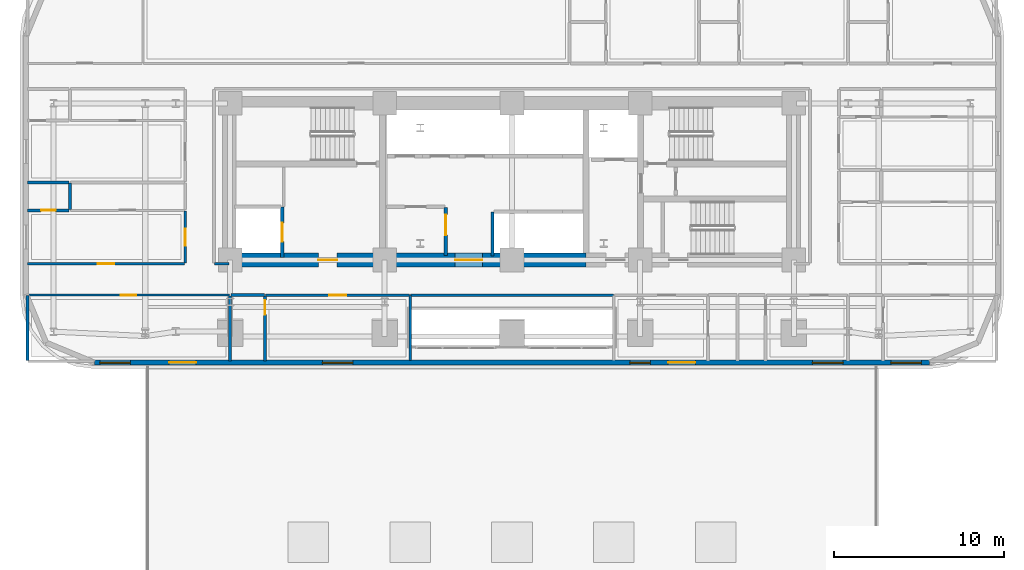
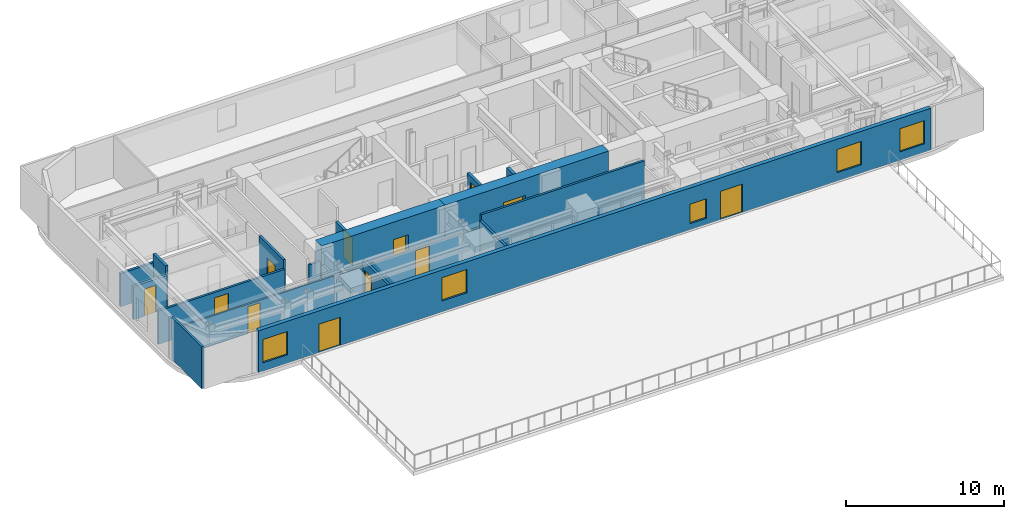
# One storey, part 7 of 15: 20 walls, 12 doors, 5 windows, 17 openings.
"""IFC4 building model written with IfcOpenShell, lengths in metres."""

from ifc_helpers import new_model, si_unit, direction, frame, frame_2d, origin, place, context, subcontext, project, spatial, rectangle, extrude, material, layer, layer_set, type_object, element, fill, save


model = new_model("IFC4")

# Units and contexts
model_context = context("Model", 3, precision=1e-05, world=origin(), true_north=direction((0.0, 1.0)))
body_context = subcontext(model_context, "Body", "Model", "MODEL_VIEW")
ifc_project = project(units=[si_unit("LENGTHUNIT", "METRE"), si_unit("AREAUNIT", "SQUARE_METRE"), si_unit("VOLUMEUNIT", "CUBIC_METRE"), si_unit("PLANEANGLEUNIT", "RADIAN"), si_unit("MASSUNIT", "GRAM", prefix="KILO")], contexts=[model_context])

# Site, building, storey
site_placement = place(None, origin())
site = spatial("IfcSite", under=ifc_project, at=site_placement, CompositionType="ELEMENT")
building_placement = place(site_placement, origin())
building = spatial("IfcBuilding", under=site, at=building_placement, Name="Zarnavel Station Tower", CompositionType="ELEMENT")
storey_placement = place(building_placement, frame((0.0, 0.0, 29.0)))
storey = spatial("IfcBuildingStorey", under=building, at=storey_placement, Name="L07", CompositionType="ELEMENT", Elevation=29.0)

# Wall, opening, door
ifc_material_1 = material(Name="Concrete C60/75", Category="concrete")
ifc_layer_1 = layer(ifc_material_1, 0.800048828125)
ifc_layer_set_1 = layer_set([ifc_layer_1], Name="CW_800")
wall_type_1 = type_object("IfcWallType", Name="CW_800", PredefinedType="SHEAR", material=ifc_layer_set_1)
wall_1_placement = place(storey_placement, frame((21.179931640625, 27.820068359375, 0.0), z_axis=(0.0, 0.0, 1.0), x_axis=(-1.0, 0.0, 0.0)))
wall_1 = element("IfcWall", 1, at=wall_1_placement, inside=storey, type_object=wall_type_1, Name="L07 Rear Core Shear Wall S-W", PredefinedType="SHEAR", context=body_context, shape_type="SweptSolid", body=[
    extrude(rectangle(XDim=9.030029296875, YDim=0.800048828125, at=frame_2d((4.51513671875, 0.0))), origin(), (0.0, 0.0, 1.0), 3.5),
])
opening_1_placement = place(wall_1_placement, frame((2.679931640625, 0.0, 0.0)))
opening_1 = element("IfcOpeningElement", 2, at=opening_1_placement, cuts=wall_1, Name="Opening FD01", PredefinedType="OPENING", context=body_context, shape_type="SweptSolid", body=[
    extrude(rectangle(XDim=1.10009765625, YDim=2.14990234375, at=frame_2d((0.550048828125, 1.074951171875))), frame((0.0, 0.409912109375, 0.0), z_axis=(0.0, -1.0, 0.0), x_axis=(1.0, 0.0, 0.0)), (0.0, 0.0, 1.0), 0.820068359375),
])
ifc_material_2 = material(Name="Painted Galvanised Steel and Hardwood Leaf", Category="steel")
door_type_1 = type_object("IfcDoorType", Name="ID_STAIR_1100", OperationType="NOTDEFINED", PredefinedType="DOOR", material=ifc_material_2)
door_1_placement = place(opening_1_placement, origin())
door_1 = element("IfcDoor", 3, at=door_1_placement, inside=storey, type_object=door_type_1, Name="L07 West Firefighting Lobby Door", OperationType="SINGLE_SWING_RIGHT", OverallHeight=2.14990234375, OverallWidth=1.10009765625, PredefinedType="DOOR", context=body_context, shape_type="SweptSolid", body=[
    extrude(rectangle(XDim=1.10009765625, YDim=2.14990234375, at=frame_2d((0.550048828125, 1.074951171875))), frame((0.0, 0.02490234375, 0.0), z_axis=(0.0, -1.0, 0.0), x_axis=(1.0, 0.0, 0.0)), (0.0, 0.0, 1.0), 0.050048828125),
])
fill(opening_1, door_1)

wall_2_placement = place(storey_placement, frame((33.14990234375, 27.820068359375, 0.0), z_axis=(0.0, 0.0, 1.0), x_axis=(-1.0, 0.0, 0.0)))
wall_2 = element("IfcWall", 4, at=wall_2_placement, inside=storey, type_object=wall_type_1, Name="L07 Rear Core Shear Wall S-M", PredefinedType="SHEAR", context=body_context, shape_type="SweptSolid", body=[
    extrude(rectangle(XDim=11.969970703125, YDim=0.800048828125, at=frame_2d((5.98486328125, 0.0))), origin(), (0.0, 0.0, 1.0), 3.5),
])
opening_2_placement = place(wall_2_placement, frame((6.10009765625, 0.0, 0.0)))
opening_2 = element("IfcOpeningElement", 5, at=opening_2_placement, cuts=wall_2, Name="Opening ID03", PredefinedType="OPENING", context=body_context, shape_type="SweptSolid", body=[
    extrude(rectangle(XDim=1.60009765625, YDim=2.199951171875, at=frame_2d((0.800048828125, 1.10009765625))), frame((0.0, 0.409912109375, 0.0), z_axis=(0.0, -1.0, 0.0), x_axis=(1.0, 0.0, 0.0)), (0.0, 0.0, 1.0), 0.820068359375),
])
ifc_material_3 = material(Name="Painted Galvanised Steel and Hardwood Leaf", Category="steel")
door_type_2 = type_object("IfcDoorType", Name="ID_PUBLIC_1600", OperationType="DOUBLE_DOOR_SINGLE_SWING", PredefinedType="DOOR", material=ifc_material_3)
door_2_placement = place(opening_2_placement, origin())
door_2 = element("IfcDoor", 6, at=door_2_placement, inside=storey, type_object=door_type_2, Name="L07 Passenger Lift Lobby Double Door", OperationType="SINGLE_SWING_LEFT", OverallHeight=2.199951171875, OverallWidth=1.60009765625, PredefinedType="DOOR", context=body_context, shape_type="SweptSolid", body=[
    extrude(rectangle(XDim=1.60009765625, YDim=2.199951171875, at=frame_2d((0.800048828125, 1.10009765625))), frame((0.0, 0.02490234375, 0.0), z_axis=(0.0, -1.0, 0.0), x_axis=(1.0, 0.0, 0.0)), (0.0, 0.0, 1.0), 0.050048828125),
])
fill(opening_2, door_2)

# Wall, openings, doors, windows
ifc_material_4 = material(Name="Precast concrete C45/55 (Dark Basalt Finish)", Category="masonry")
ifc_layer_2 = layer(ifc_material_4, 0.300048828125)
ifc_layer_set_2 = layer_set([ifc_layer_2], Name="EW_BASALT_300")
wall_type_2 = type_object("IfcWallType", Name="EW_BASALT_300", PredefinedType="SOLIDWALL", material=ifc_layer_set_2)
wall_3_placement = place(storey_placement, frame((53.39990234375, 21.780029296875, 0.0), z_axis=(0.0, 0.0, 1.0), x_axis=(-1.0, 0.0, 0.0)))
wall_3 = element("IfcWall", 7, at=wall_3_placement, inside=storey, type_object=wall_type_2, Name="L07 Exterior Basalt Masonry Frame Wall 12", PredefinedType="SOLIDWALL", context=body_context, shape_type="SweptSolid", body=[
    extrude(rectangle(XDim=49.199951171875, YDim=0.300048828125, at=frame_2d((24.60009765625, 0.0))), origin(), (0.0, 0.0, 1.0), 3.239990234375),
])
opening_3_placement = place(wall_3_placement, frame((43.199951171875, 0.0, 0.0)))
opening_3 = element("IfcOpeningElement", 8, at=opening_3_placement, cuts=wall_3, Name="Opening ED03", PredefinedType="OPENING", context=body_context, shape_type="SweptSolid", body=[
    extrude(rectangle(XDim=1.60009765625, YDim=2.199951171875, at=frame_2d((0.800048828125, 1.10009765625))), frame((0.0, 0.159912109375, 0.0), z_axis=(0.0, -1.0, 0.0), x_axis=(1.0, 0.0, 0.0)), (0.0, 0.0, 1.0), 0.320068359375),
])
opening_4_placement = place(wall_3_placement, frame((13.800048828125, 0.0, 0.0)))
opening_4 = element("IfcOpeningElement", 9, at=opening_4_placement, cuts=wall_3, Name="Opening ED03", PredefinedType="OPENING", context=body_context, shape_type="SweptSolid", body=[
    extrude(rectangle(XDim=1.60009765625, YDim=2.199951171875, at=frame_2d((0.800048828125, 1.10009765625))), frame((0.0, 0.159912109375, 0.0), z_axis=(0.0, -1.0, 0.0), x_axis=(1.0, 0.0, 0.0)), (0.0, 0.0, 1.0), 0.320068359375),
])
opening_5_placement = place(wall_3_placement, frame((47.080078125, 0.0, 0.64990234375)))
opening_5 = element("IfcOpeningElement", 10, at=opening_5_placement, cuts=wall_3, Name="Opening WN02", PredefinedType="OPENING", context=body_context, shape_type="SweptSolid", body=[
    extrude(rectangle(XDim=1.800048828125, YDim=1.800048828125, at=frame_2d((0.89990234375, 0.89990234375))), frame((0.0, 0.159912109375, 0.0), z_axis=(0.0, -1.0, 0.0), x_axis=(1.0, 0.0, 0.0)), (0.0, 0.0, 1.0), 0.320068359375),
])
opening_6_placement = place(wall_3_placement, frame((33.97509765625, 0.0, 0.85009765625)))
opening_6 = element("IfcOpeningElement", 11, at=opening_6_placement, cuts=wall_3, Name="Opening WN02", PredefinedType="OPENING", context=body_context, shape_type="SweptSolid", body=[
    extrude(rectangle(XDim=1.800048828125, YDim=1.800048828125, at=frame_2d((0.89990234375, 0.89990234375))), frame((0.0, 0.159912109375, 0.0), z_axis=(0.0, -1.0, 0.0), x_axis=(1.0, 0.0, 0.0)), (0.0, 0.0, 1.0), 0.320068359375),
])
opening_7_placement = place(wall_3_placement, frame((16.449951171875, 0.0, 0.47998046875)))
opening_7 = element("IfcOpeningElement", 12, at=opening_7_placement, cuts=wall_3, Name="Opening WN08", PredefinedType="OPENING", context=body_context, shape_type="SweptSolid", body=[
    extrude(rectangle(XDim=1.199951171875, YDim=1.5, at=frame_2d((0.60009765625, 0.75))), frame((0.0, 0.159912109375, 0.0), z_axis=(0.0, -1.0, 0.0), x_axis=(1.0, 0.0, 0.0)), (0.0, 0.0, 1.0), 0.320068359375),
])
opening_8_placement = place(wall_3_placement, frame((5.10009765625, 0.0, 0.64990234375)))
opening_8 = element("IfcOpeningElement", 13, at=opening_8_placement, cuts=wall_3, Name="Opening WN02", PredefinedType="OPENING", context=body_context, shape_type="SweptSolid", body=[
    extrude(rectangle(XDim=1.800048828125, YDim=1.800048828125, at=frame_2d((0.89990234375, 0.89990234375))), frame((0.0, 0.159912109375, 0.0), z_axis=(0.0, -1.0, 0.0), x_axis=(1.0, 0.0, 0.0)), (0.0, 0.0, 1.0), 0.320068359375),
])
opening_9_placement = place(wall_3_placement, frame((0.485107421875, 0.0, 0.64990234375)))
opening_9 = element("IfcOpeningElement", 14, at=opening_9_placement, cuts=wall_3, Name="Opening WN02", PredefinedType="OPENING", context=body_context, shape_type="SweptSolid", body=[
    extrude(rectangle(XDim=1.800048828125, YDim=1.800048828125, at=frame_2d((0.89990234375, 0.89990234375))), frame((0.0, 0.159912109375, 0.0), z_axis=(0.0, -1.0, 0.0), x_axis=(1.0, 0.0, 0.0)), (0.0, 0.0, 1.0), 0.320068359375),
])
ifc_material_5 = material(Name="Thermally Broken Black Aluminium and Laminated Safety Glass", Category="aluminium")
door_type_3 = type_object("IfcDoorType", Name="ED_TERR_1600", OperationType="DOUBLE_DOOR_SLIDING", PredefinedType="DOOR", material=ifc_material_5)
door_3_placement = place(opening_3_placement, origin())
door_3 = element("IfcDoor", 15, at=door_3_placement, inside=storey, type_object=door_type_3, Name="L07 Podium Garden Terrace Sliding Door West", OperationType="DOUBLE_DOOR_SLIDING", OverallHeight=2.199951171875, OverallWidth=1.60009765625, PredefinedType="DOOR", context=body_context, shape_type="SweptSolid", body=[
    extrude(rectangle(XDim=1.60009765625, YDim=2.199951171875, at=frame_2d((0.800048828125, 1.10009765625))), frame((0.0, 0.02490234375, 0.0), z_axis=(0.0, -1.0, 0.0), x_axis=(1.0, 0.0, 0.0)), (0.0, 0.0, 1.0), 0.050048828125),
])
fill(opening_3, door_3)
door_4_placement = place(opening_4_placement, origin())
door_4 = element("IfcDoor", 16, at=door_4_placement, inside=storey, type_object=door_type_3, Name="L07 Podium Garden Terrace Sliding Door East", OperationType="DOUBLE_DOOR_SLIDING", OverallHeight=2.199951171875, OverallWidth=1.60009765625, PredefinedType="DOOR", context=body_context, shape_type="SweptSolid", body=[
    extrude(rectangle(XDim=1.60009765625, YDim=2.199951171875, at=frame_2d((0.800048828125, 1.10009765625))), frame((0.0, 0.02490234375, 0.0), z_axis=(0.0, -1.0, 0.0), x_axis=(1.0, 0.0, 0.0)), (0.0, 0.0, 1.0), 0.050048828125),
])
fill(opening_4, door_4)
ifc_material_6 = material(Name="Thermally Broken Black Aluminium and Low-E Dark Glass", Category="aluminium")
window_type_1 = type_object("IfcWindowType", Name="WN_1200x1500", PartitioningType="SINGLE_PANEL", PredefinedType="WINDOW", material=ifc_material_6)
window_1_placement = place(opening_7_placement, origin())
window_1 = element("IfcWindow", 17, at=window_1_placement, inside=storey, type_object=window_type_1, Name="L07 Recessed Facade Window 03", OverallHeight=1.5, OverallWidth=1.199951171875, PartitioningType="SINGLE_PANEL", PredefinedType="WINDOW", context=body_context, shape_type="SweptSolid", body=[
    extrude(rectangle(XDim=1.199951171875, YDim=1.5, at=frame_2d((0.60009765625, 0.75))), frame((0.0, 0.030029296875, 0.0), z_axis=(0.0, -1.0, 0.0), x_axis=(1.0, 0.0, 0.0)), (0.0, 0.0, 1.0), 0.06005859375),
])
fill(opening_7, window_1)
ifc_material_7 = material(Name="Thermally Broken Black Aluminium and Low-E Dark Glass", Category="aluminium")
window_type_2 = type_object("IfcWindowType", Name="WN_1800x1800", PartitioningType="DOUBLE_PANEL_VERTICAL", PredefinedType="WINDOW", material=ifc_material_7)
window_2_placement = place(opening_5_placement, origin())
window_2 = element("IfcWindow", 18, at=window_2_placement, inside=storey, type_object=window_type_2, Name="L07 Recessed Facade Window 01", OverallHeight=1.800048828125, OverallWidth=1.800048828125, PartitioningType="SINGLE_PANEL", PredefinedType="WINDOW", context=body_context, shape_type="SweptSolid", body=[
    extrude(rectangle(XDim=1.800048828125, YDim=1.800048828125, at=frame_2d((0.89990234375, 0.89990234375))), frame((0.0, 0.030029296875, 0.0), z_axis=(0.0, -1.0, 0.0), x_axis=(1.0, 0.0, 0.0)), (0.0, 0.0, 1.0), 0.06005859375),
])
fill(opening_5, window_2)
window_3_placement = place(opening_6_placement, origin())
window_3 = element("IfcWindow", 19, at=window_3_placement, inside=storey, type_object=window_type_2, Name="L07 Recessed Facade Window 02", OverallHeight=1.800048828125, OverallWidth=1.800048828125, PartitioningType="SINGLE_PANEL", PredefinedType="WINDOW", context=body_context, shape_type="SweptSolid", body=[
    extrude(rectangle(XDim=1.800048828125, YDim=1.800048828125, at=frame_2d((0.89990234375, 0.89990234375))), frame((0.0, 0.030029296875, 0.0), z_axis=(0.0, -1.0, 0.0), x_axis=(1.0, 0.0, 0.0)), (0.0, 0.0, 1.0), 0.06005859375),
])
fill(opening_6, window_3)
window_4_placement = place(opening_8_placement, origin())
window_4 = element("IfcWindow", 20, at=window_4_placement, inside=storey, type_object=window_type_2, Name="L07 Recessed Facade Window 04", OverallHeight=1.800048828125, OverallWidth=1.800048828125, PartitioningType="SINGLE_PANEL", PredefinedType="WINDOW", context=body_context, shape_type="SweptSolid", body=[
    extrude(rectangle(XDim=1.800048828125, YDim=1.800048828125, at=frame_2d((0.89990234375, 0.89990234375))), frame((0.0, 0.030029296875, 0.0), z_axis=(0.0, -1.0, 0.0), x_axis=(1.0, 0.0, 0.0)), (0.0, 0.0, 1.0), 0.06005859375),
])
fill(opening_8, window_4)
window_5_placement = place(opening_9_placement, origin())
window_5 = element("IfcWindow", 21, at=window_5_placement, inside=storey, type_object=window_type_2, Name="L07 Recessed Facade Window 05", OverallHeight=1.800048828125, OverallWidth=1.800048828125, PartitioningType="SINGLE_PANEL", PredefinedType="WINDOW", context=body_context, shape_type="SweptSolid", body=[
    extrude(rectangle(XDim=1.800048828125, YDim=1.800048828125, at=frame_2d((0.89990234375, 0.89990234375))), frame((0.0, 0.030029296875, 0.0), z_axis=(0.0, -1.0, 0.0), x_axis=(1.0, 0.0, 0.0)), (0.0, 0.0, 1.0), 0.06005859375),
])
fill(opening_9, window_5)

# Wall, opening, door
ifc_material_8 = material(Name="Gypsum Twin-Stud Acoustic Fire Partition", Category="concrete")
ifc_layer_3 = layer(ifc_material_8, 0.159912109375)
ifc_layer_set_3 = layer_set([ifc_layer_3], Name="PT_DEMISE_160")
wall_type_3 = type_object("IfcWallType", Name="PT_DEMISE_160", PredefinedType="PARTITIONING", material=ifc_layer_set_3)
wall_4_placement = place(storey_placement, frame((0.260009765625, 27.60009765625, 0.0), z_axis=(0.0, 0.0, 1.0), x_axis=(1.0, 0.0, 0.0)))
wall_4 = element("IfcWall", 22, at=wall_4_placement, inside=storey, type_object=wall_type_3, Name="L07 Partition COR-S-FNW1R", PredefinedType="PARTITIONING", context=body_context, shape_type="SweptSolid", body=[
    extrude(rectangle(XDim=9.25, YDim=0.159912109375, at=frame_2d((4.625, 0.0))), origin(), (0.0, 0.0, 1.0), 2.570068359375),
])
opening_10_placement = place(wall_4_placement, frame((4.125, 0.0, 0.0)))
opening_10 = element("IfcOpeningElement", 23, at=opening_10_placement, cuts=wall_4, Name="Opening FD02", PredefinedType="OPENING", context=body_context, shape_type="SweptSolid", body=[
    extrude(rectangle(XDim=1.0, YDim=2.14990234375, at=frame_2d((0.5, 1.074951171875))), frame((0.0, 0.08984375, 0.0), z_axis=(0.0, -1.0, 0.0), x_axis=(1.0, 0.0, 0.0)), (0.0, 0.0, 1.0), 0.179931640625),
])
ifc_material_9 = material(Name="Painted Galvanised Steel and Hardwood Leaf", Category="steel")
door_type_4 = type_object("IfcDoorType", Name="ID_ENTRY_1000", OperationType="NOTDEFINED", PredefinedType="DOOR", material=ifc_material_9)
door_5_placement = place(opening_10_placement, origin())
door_5 = element("IfcDoor", 24, at=door_5_placement, inside=storey, type_object=door_type_4, Name="L07 Door COR-S-FNW1R", OperationType="SINGLE_SWING_RIGHT", OverallHeight=2.14990234375, OverallWidth=1.0, PredefinedType="DOOR", context=body_context, shape_type="SweptSolid", body=[
    extrude(rectangle(XDim=1.0, YDim=2.14990234375, at=frame_2d((0.5, 1.074951171875))), frame((0.0, 0.02490234375, 0.0), z_axis=(0.0, -1.0, 0.0), x_axis=(1.0, 0.0, 0.0)), (0.0, 0.0, 1.0), 0.050048828125),
])
fill(opening_10, door_5)

wall_5_placement = place(storey_placement, frame((14.2900390625, 25.75, 0.0), z_axis=(0.0, 0.0, 1.0), x_axis=(1.0, 0.0, 0.0)))
wall_5 = element("IfcWall", 25, at=wall_5_placement, inside=storey, type_object=wall_type_3, Name="L07 Partition COR-S-HW1R", PredefinedType="PARTITIONING", context=body_context, shape_type="SweptSolid", body=[
    extrude(rectangle(XDim=8.469970703125, YDim=0.159912109375, at=frame_2d((4.23486328125, 0.0))), origin(), (0.0, 0.0, 1.0), 2.280029296875),
])
opening_11_placement = place(wall_5_placement, frame((3.735107421875, 0.0, 0.0)))
opening_11 = element("IfcOpeningElement", 26, at=opening_11_placement, cuts=wall_5, Name="Opening FD02", PredefinedType="OPENING", context=body_context, shape_type="SweptSolid", body=[
    extrude(rectangle(XDim=1.0, YDim=2.14990234375, at=frame_2d((0.5, 1.074951171875))), frame((0.0, 0.08984375, 0.0), z_axis=(0.0, -1.0, 0.0), x_axis=(1.0, 0.0, 0.0)), (0.0, 0.0, 1.0), 0.179931640625),
])
door_6_placement = place(opening_11_placement, origin())
door_6 = element("IfcDoor", 27, at=door_6_placement, inside=storey, type_object=door_type_4, Name="L07 Door COR-S-HW1R", OperationType="SINGLE_SWING_LEFT", OverallHeight=2.14990234375, OverallWidth=1.0, PredefinedType="DOOR", context=body_context, shape_type="SweptSolid", body=[
    extrude(rectangle(XDim=1.0, YDim=2.14990234375, at=frame_2d((0.5, 1.074951171875))), frame((0.0, 0.02490234375, 0.0), z_axis=(0.0, -1.0, 0.0), x_axis=(1.0, 0.0, 0.0)), (0.0, 0.0, 1.0), 0.050048828125),
])
fill(opening_11, door_6)

wall_6_placement = place(storey_placement, frame((9.550048828125, 27.639892578125, 0.0), z_axis=(0.0, 0.0, 1.0), x_axis=(0.0, 1.0, 0.0)))
wall_6 = element("IfcWall", 28, at=wall_6_placement, inside=storey, type_object=wall_type_3, Name="L07 Partition COR-W-FNW1R", PredefinedType="PARTITIONING", context=body_context, shape_type="SweptSolid", body=[
    extrude(rectangle(XDim=3.06103515625, YDim=0.159912109375, at=frame_2d((1.530517578125, 0.0))), origin(), (0.0, 0.0, 1.0), 3.239990234375),
])
opening_12_placement = place(wall_6_placement, frame((1.030517578125, 0.0, 0.0)))
opening_12 = element("IfcOpeningElement", 29, at=opening_12_placement, cuts=wall_6, Name="Opening FD02", PredefinedType="OPENING", context=body_context, shape_type="SweptSolid", body=[
    extrude(rectangle(XDim=1.0, YDim=2.14990234375, at=frame_2d((0.5, 1.074951171875))), frame((0.0, 0.08984375, 0.0), z_axis=(0.0, -1.0, 0.0), x_axis=(1.0, 0.0, 0.0)), (0.0, 0.0, 1.0), 0.179931640625),
])
door_7_placement = place(opening_12_placement, origin())
door_7 = element("IfcDoor", 30, at=door_7_placement, inside=storey, type_object=door_type_4, Name="L07 Door COR-W-FNW1R", OperationType="SINGLE_SWING_LEFT", OverallHeight=2.14990234375, OverallWidth=1.0, PredefinedType="DOOR", context=body_context, shape_type="SweptSolid", body=[
    extrude(rectangle(XDim=1.0, YDim=2.14990234375, at=frame_2d((0.5, 1.074951171875))), frame((0.0, 0.02490234375, 0.0), z_axis=(0.0, -1.0, 0.0), x_axis=(1.0, 0.0, 0.0)), (0.0, 0.0, 1.0), 0.050048828125),
])
fill(opening_12, door_7)

# Walls
wall_7_placement = place(storey_placement, frame((22.830078125, 25.75, 0.0), z_axis=(0.0, 0.0, 1.0), x_axis=(1.0, 0.0, 0.0)))
element("IfcWall", 31, at=wall_7_placement, inside=storey, type_object=wall_type_3, Name="L07 Enclosure Wall COR-S", PredefinedType="PARTITIONING", context=body_context, shape_type="SweptSolid", body=[
    extrude(rectangle(XDim=11.93994140625, YDim=0.159912109375, at=frame_2d((5.969970703125, 0.0))), origin(), (0.0, 0.0, 1.0), 3.239990234375),
])
wall_8_placement = place(storey_placement, frame((11.280029296875, 27.60009765625, 0.0), z_axis=(0.0, 0.0, 1.0), x_axis=(1.0, 0.0, 0.0)))
element("IfcWall", 32, at=wall_8_placement, inside=storey, type_object=wall_type_3, Name="L07 Enclosure Wall COR-S", PredefinedType="PARTITIONING", context=body_context, shape_type="SweptSolid", body=[
    extrude(rectangle(XDim=0.840087890625, YDim=0.159912109375, at=frame_2d((0.419921875, 0.0))), origin(), (0.0, 0.0, 1.0), 2.280029296875),
])
wall_9_placement = place(storey_placement, frame((0.260009765625, 21.889892578125, 0.0), z_axis=(0.0, 0.0, 1.0), x_axis=(0.0, 1.0, 0.0)))
element("IfcWall", 33, at=wall_9_placement, inside=storey, type_object=wall_type_3, Name="L07 Enclosure Wall L07SPA", PredefinedType="PARTITIONING", context=body_context, shape_type="SweptSolid", body=[
    extrude(rectangle(XDim=3.830078125, YDim=0.159912109375, at=frame_2d((1.9150390625, 0.0))), origin(), (0.0, 0.0, 1.0), 3.239990234375),
])
wall_10_placement = place(storey_placement, frame((22.800048828125, 21.889892578125, 0.0), z_axis=(0.0, 0.0, 1.0), x_axis=(0.0, 1.0, 0.0)))
element("IfcWall", 34, at=wall_10_placement, inside=storey, type_object=wall_type_3, Name="L07 Enclosure Wall HW1R", PredefinedType="PARTITIONING", context=body_context, shape_type="SweptSolid", body=[
    extrude(rectangle(XDim=3.830078125, YDim=0.159912109375, at=frame_2d((1.9150390625, 0.0))), origin(), (0.0, 0.0, 1.0), 2.820068359375),
])

# Wall, opening, door
ifc_material_10 = material(Name="Gypsum Metal-Stud Interior Partition", Category="concrete")
ifc_layer_4 = layer(ifc_material_10, 0.1201171875)
ifc_layer_set_4 = layer_set([ifc_layer_4], Name="PT_ROOM_120")
wall_type_4 = type_object("IfcWallType", Name="PT_ROOM_120", PredefinedType="PARTITIONING", material=ifc_layer_set_4)
wall_11_placement = place(storey_placement, frame((0.260009765625, 25.75, 0.0), z_axis=(0.0, 0.0, 1.0), x_axis=(1.0, 0.0, 0.0)))
wall_11 = element("IfcWall", 35, at=wall_11_placement, inside=storey, type_object=wall_type_4, Name="L07 Partition COR-S-L07SPA", PredefinedType="PARTITIONING", context=body_context, shape_type="SweptSolid", body=[
    extrude(rectangle(XDim=11.89990234375, YDim=0.1201171875, at=frame_2d((5.949951171875, 0.0))), origin(), (0.0, 0.0, 1.0), 2.280029296875),
])
opening_13_placement = place(wall_11_placement, frame((5.5, 0.0, 0.0)))
opening_13 = element("IfcOpeningElement", 36, at=opening_13_placement, cuts=wall_11, Name="Opening ID01", PredefinedType="OPENING", context=body_context, shape_type="SweptSolid", body=[
    extrude(rectangle(XDim=0.89990234375, YDim=2.10009765625, at=frame_2d((0.449951171875, 1.050048828125))), frame((0.0, 0.070068359375, 0.0), z_axis=(0.0, -1.0, 0.0), x_axis=(1.0, 0.0, 0.0)), (0.0, 0.0, 1.0), 0.14013671875),
])
ifc_material_11 = material(Name="Painted Galvanised Steel and Hardwood Leaf", Category="steel")
door_type_5 = type_object("IfcDoorType", Name="ID_ROOM_900", OperationType="NOTDEFINED", PredefinedType="DOOR", material=ifc_material_11)
door_8_placement = place(opening_13_placement, origin())
door_8 = element("IfcDoor", 37, at=door_8_placement, inside=storey, type_object=door_type_5, Name="L07 Door COR-S-L07SPA", OperationType="SINGLE_SWING_RIGHT", OverallHeight=2.10009765625, OverallWidth=0.89990234375, PredefinedType="DOOR", context=body_context, shape_type="SweptSolid", body=[
    extrude(rectangle(XDim=0.89990234375, YDim=2.10009765625, at=frame_2d((0.449951171875, 1.050048828125))), frame((0.0, 0.02490234375, 0.0), z_axis=(0.0, -1.0, 0.0), x_axis=(1.0, 0.0, 0.0)), (0.0, 0.0, 1.0), 0.050048828125),
])
fill(opening_13, door_8)

ifc_material_12 = material(Name="Precast concrete C45/55 (Fire Shaft Blockwork)", Category="masonry")
ifc_layer_5 = layer(ifc_material_12, 0.199951171875)
ifc_layer_set_5 = layer_set([ifc_layer_5], Name="PT_SHAFT_200")
wall_type_5 = type_object("IfcWallType", Name="PT_SHAFT_200", PredefinedType="PARTITIONING", material=ifc_layer_set_5)
wall_12_placement = place(storey_placement, frame((15.27001953125, 27.969970703125, 0.0), z_axis=(0.0, 0.0, 1.0), x_axis=(0.0, 1.0, 0.0)))
wall_12 = element("IfcWall", 38, at=wall_12_placement, inside=storey, type_object=wall_type_5, Name="L07 Lift FFL-01 Shaft Front Wall", PredefinedType="PARTITIONING", context=body_context, shape_type="SweptSolid", body=[
    extrude(rectangle(XDim=2.9599609375, YDim=0.199951171875, at=frame_2d((1.47998046875, 0.0))), origin(), (0.0, 0.0, 1.0), 2.2119140625),
])
opening_14_placement = place(wall_12_placement, frame((0.929931640625, 0.0, 0.0)))
opening_14 = element("IfcOpeningElement", 39, at=opening_14_placement, cuts=wall_12, Name="Opening LD01", PredefinedType="OPENING", context=body_context, shape_type="SweptSolid", body=[
    extrude(rectangle(XDim=1.10009765625, YDim=2.14990234375, at=frame_2d((0.550048828125, 1.074951171875))), frame((0.0, 0.10986328125, 0.0), z_axis=(0.0, -1.0, 0.0), x_axis=(1.0, 0.0, 0.0)), (0.0, 0.0, 1.0), 0.219970703125),
])
ifc_material_13 = material(Name="Painted Galvanised Steel and Hardwood Leaf", Category="steel")
door_type_6 = type_object("IfcDoorType", Name="LD_FF_1100", OperationType="DOUBLE_DOOR_SLIDING", PredefinedType="DOOR", material=ifc_material_13)
door_9_placement = place(opening_14_placement, origin())
door_9 = element("IfcDoor", 40, at=door_9_placement, inside=storey, type_object=door_type_6, Name="L07 Lift FFL-01 Sliding Landing Door", OperationType="DOUBLE_DOOR_SLIDING", OverallHeight=2.14990234375, OverallWidth=1.10009765625, PredefinedType="DOOR", context=body_context, shape_type="SweptSolid", body=[
    extrude(rectangle(XDim=1.10009765625, YDim=2.14990234375, at=frame_2d((0.550048828125, 1.074951171875))), frame((0.0, 0.02490234375, 0.0), z_axis=(0.0, -1.0, 0.0), x_axis=(1.0, 0.0, 0.0)), (0.0, 0.0, 1.0), 0.050048828125),
])
fill(opening_14, door_9)

# Wall
wall_13_placement = place(storey_placement, frame((27.64990234375, 28.070068359375, 0.0), z_axis=(0.0, 0.0, 1.0), x_axis=(0.0, 1.0, 0.0)))
element("IfcWall", 41, at=wall_13_placement, inside=storey, type_object=wall_type_5, Name="L07 High-Rise Lift Bank West Shaft Wall", PredefinedType="PARTITIONING", context=body_context, shape_type="SweptSolid", body=[
    extrude(rectangle(XDim=2.579833984375, YDim=0.199951171875, at=frame_2d((1.2900390625, 0.0))), origin(), (0.0, 0.0, 1.0), 2.2119140625),
])

# Wall, opening, door
wall_14_placement = place(storey_placement, frame((24.89990234375, 30.909912109375, 0.0), z_axis=(0.0, 0.0, 1.0), x_axis=(0.0, -1.0, 0.0)))
wall_14 = element("IfcWall", 42, at=wall_14_placement, inside=storey, type_object=wall_type_5, Name="L07 Partition LLOBS-CS1", PredefinedType="PARTITIONING", context=body_context, shape_type="SweptSolid", body=[
    extrude(rectangle(XDim=2.81982421875, YDim=0.199951171875, at=frame_2d((1.409912109375, 0.0))), origin(), (0.0, 0.0, 1.0), 2.6201171875),
])
opening_15_placement = place(wall_14_placement, frame((0.419189453125, 0.0, 0.0)))
opening_15 = element("IfcOpeningElement", 43, at=opening_15_placement, cuts=wall_14, Name="Opening FD03", PredefinedType="OPENING", context=body_context, shape_type="SweptSolid", body=[
    extrude(rectangle(XDim=1.199951171875, YDim=2.14990234375, at=frame_2d((0.60009765625, 1.074951171875))), frame((0.0, 0.10986328125, 0.0), z_axis=(0.0, -1.0, 0.0), x_axis=(1.0, 0.0, 0.0)), (0.0, 0.0, 1.0), 0.219970703125),
])
ifc_material_14 = material(Name="Painted Galvanised Steel and Hardwood Leaf", Category="steel")
door_type_7 = type_object("IfcDoorType", Name="ID_PLANT_1200", OperationType="NOTDEFINED", PredefinedType="DOOR", material=ifc_material_14)
door_10_placement = place(opening_15_placement, origin())
door_10 = element("IfcDoor", 44, at=door_10_placement, inside=storey, type_object=door_type_7, Name="L07 Door LLOBS-CS1", OperationType="SINGLE_SWING_LEFT", OverallHeight=2.14990234375, OverallWidth=1.199951171875, PredefinedType="DOOR", context=body_context, shape_type="SweptSolid", body=[
    extrude(rectangle(XDim=1.199951171875, YDim=2.14990234375, at=frame_2d((0.60009765625, 1.074951171875))), frame((0.0, 0.02490234375, 0.0), z_axis=(0.0, -1.0, 0.0), x_axis=(1.0, 0.0, 0.0)), (0.0, 0.0, 1.0), 0.050048828125),
])
fill(opening_15, door_10)

# Wall
ifc_material_15 = material(Name="Moisture-Resistant Plumbing Chase Wall", Category="concrete")
ifc_layer_6 = layer(ifc_material_15, 0.179931640625)
ifc_layer_set_6 = layer_set([ifc_layer_6], Name="PW_PLUMB_180")
wall_type_6 = type_object("IfcWallType", Name="PW_PLUMB_180", PredefinedType="PLUMBINGWALL", material=ifc_layer_set_6)
wall_15_placement = place(storey_placement, frame((12.239990234375, 25.75, 0.0), z_axis=(0.0, 0.0, 1.0), x_axis=(1.0, 0.0, 0.0)))
element("IfcWall", 45, at=wall_15_placement, inside=storey, type_object=wall_type_6, Name="L07 Partition COR-S-HW1B", PredefinedType="PLUMBINGWALL", context=body_context, shape_type="SweptSolid", body=[
    extrude(rectangle(XDim=1.969970703125, YDim=0.179931640625, at=frame_2d((0.98486328125, 0.0))), origin(), (0.0, 0.0, 1.0), 2.280029296875),
])

# Wall, opening, door
wall_16_placement = place(storey_placement, frame((0.260009765625, 30.740966796875, 0.0), z_axis=(0.0, 0.0, 1.0), x_axis=(1.0, 0.0, 0.0)))
wall_16 = element("IfcWall", 46, at=wall_16_placement, inside=storey, type_object=wall_type_6, Name="L07 Partition FNW1R-FNW1B", PredefinedType="PLUMBINGWALL", context=body_context, shape_type="SweptSolid", body=[
    extrude(rectangle(XDim=2.4599609375, YDim=0.179931640625, at=frame_2d((1.22998046875, 0.0))), origin(), (0.0, 0.0, 1.0), 2.570068359375),
])
opening_16_placement = place(wall_16_placement, frame((0.804931640625, 0.0, 0.0)))
opening_16 = element("IfcOpeningElement", 47, at=opening_16_placement, cuts=wall_16, Name="Opening ID02", PredefinedType="OPENING", context=body_context, shape_type="SweptSolid", body=[
    extrude(rectangle(XDim=0.85009765625, YDim=2.10009765625, at=frame_2d((0.425048828125, 1.050048828125))), frame((0.0, 0.099853515625, 0.0), z_axis=(0.0, -1.0, 0.0), x_axis=(1.0, 0.0, 0.0)), (0.0, 0.0, 1.0), 0.199951171875),
])
ifc_material_16 = material(Name="Painted Galvanised Steel and Hardwood Leaf", Category="steel")
door_type_8 = type_object("IfcDoorType", Name="ID_BATH_850", OperationType="NOTDEFINED", PredefinedType="DOOR", material=ifc_material_16)
door_11_placement = place(opening_16_placement, origin())
door_11 = element("IfcDoor", 48, at=door_11_placement, inside=storey, type_object=door_type_8, Name="L07 Door FNW1R-FNW1B", OperationType="SINGLE_SWING_RIGHT", OverallHeight=2.10009765625, OverallWidth=0.85009765625, PredefinedType="DOOR", context=body_context, shape_type="SweptSolid", body=[
    extrude(rectangle(XDim=0.85009765625, YDim=2.10009765625, at=frame_2d((0.425048828125, 1.050048828125))), frame((0.0, 0.02490234375, 0.0), z_axis=(0.0, -1.0, 0.0), x_axis=(1.0, 0.0, 0.0)), (0.0, 0.0, 1.0), 0.050048828125),
])
fill(opening_16, door_11)

# Walls
wall_17_placement = place(storey_placement, frame((2.760009765625, 30.781005859375, 0.0), z_axis=(0.0, 0.0, 1.0), x_axis=(0.0, 1.0, 0.0)))
element("IfcWall", 49, at=wall_17_placement, inside=storey, type_object=wall_type_6, Name="L07 Partition FNW1B-FNW1S", PredefinedType="PLUMBINGWALL", context=body_context, shape_type="SweptSolid", body=[
    extrude(rectangle(XDim=1.570068359375, YDim=0.179931640625, at=frame_2d((0.78515625, 0.0))), origin(), (0.0, 0.0, 1.0), 3.239990234375),
])
wall_18_placement = place(storey_placement, frame((0.260009765625, 32.39111328125, 0.0), z_axis=(0.0, 0.0, 1.0), x_axis=(1.0, 0.0, 0.0)))
element("IfcWall", 50, at=wall_18_placement, inside=storey, type_object=wall_type_6, Name="L07 Partition FNW1B-FNW2R", PredefinedType="PLUMBINGWALL", context=body_context, shape_type="SweptSolid", body=[
    extrude(rectangle(XDim=2.4599609375, YDim=0.179931640625, at=frame_2d((1.22998046875, 0.0))), origin(), (0.0, 0.0, 1.0), 2.570068359375),
])
wall_19_placement = place(storey_placement, frame((12.199951171875, 21.860107421875, 0.0), z_axis=(0.0, 0.0, 1.0), x_axis=(0.0, 1.0, 0.0)))
element("IfcWall", 51, at=wall_19_placement, inside=storey, type_object=wall_type_6, Name="L07 Partition L07SPA-HW1B", PredefinedType="PLUMBINGWALL", context=body_context, shape_type="SweptSolid", body=[
    extrude(rectangle(XDim=3.849853515625, YDim=0.179931640625, at=frame_2d((1.9248046875, 0.0))), origin(), (0.0, 0.0, 1.0), 2.280029296875),
])

# Wall, opening, door
wall_20_placement = place(storey_placement, frame((14.25, 21.860107421875, 0.0), z_axis=(0.0, 0.0, 1.0), x_axis=(0.0, 1.0, 0.0)))
wall_20 = element("IfcWall", 52, at=wall_20_placement, inside=storey, type_object=wall_type_6, Name="L07 Partition HW1R-HW1B", PredefinedType="PLUMBINGWALL", context=body_context, shape_type="SweptSolid", body=[
    extrude(rectangle(XDim=3.849853515625, YDim=0.179931640625, at=frame_2d((1.9248046875, 0.0))), origin(), (0.0, 0.0, 1.0), 2.780029296875),
])
opening_17_placement = place(wall_20_placement, frame((2.74658203125, 0.0, 0.0)))
opening_17 = element("IfcOpeningElement", 53, at=opening_17_placement, cuts=wall_20, Name="Opening ID02", PredefinedType="OPENING", context=body_context, shape_type="SweptSolid", body=[
    extrude(rectangle(XDim=0.85009765625, YDim=2.10009765625, at=frame_2d((0.425048828125, 1.050048828125))), frame((0.0, 0.099853515625, 0.0), z_axis=(0.0, -1.0, 0.0), x_axis=(1.0, 0.0, 0.0)), (0.0, 0.0, 1.0), 0.199951171875),
])
door_12_placement = place(opening_17_placement, origin())
door_12 = element("IfcDoor", 54, at=door_12_placement, inside=storey, type_object=door_type_8, Name="L07 Door HW1R-HW1B", OperationType="SINGLE_SWING_RIGHT", OverallHeight=2.10009765625, OverallWidth=0.85009765625, PredefinedType="DOOR", context=body_context, shape_type="SweptSolid", body=[
    extrude(rectangle(XDim=0.85009765625, YDim=2.10009765625, at=frame_2d((0.425048828125, 1.050048828125))), frame((0.0, 0.02490234375, 0.0), z_axis=(0.0, -1.0, 0.0), x_axis=(1.0, 0.0, 0.0)), (0.0, 0.0, 1.0), 0.050048828125),
])
fill(opening_17, door_12)

save(model, "model.ifc")
